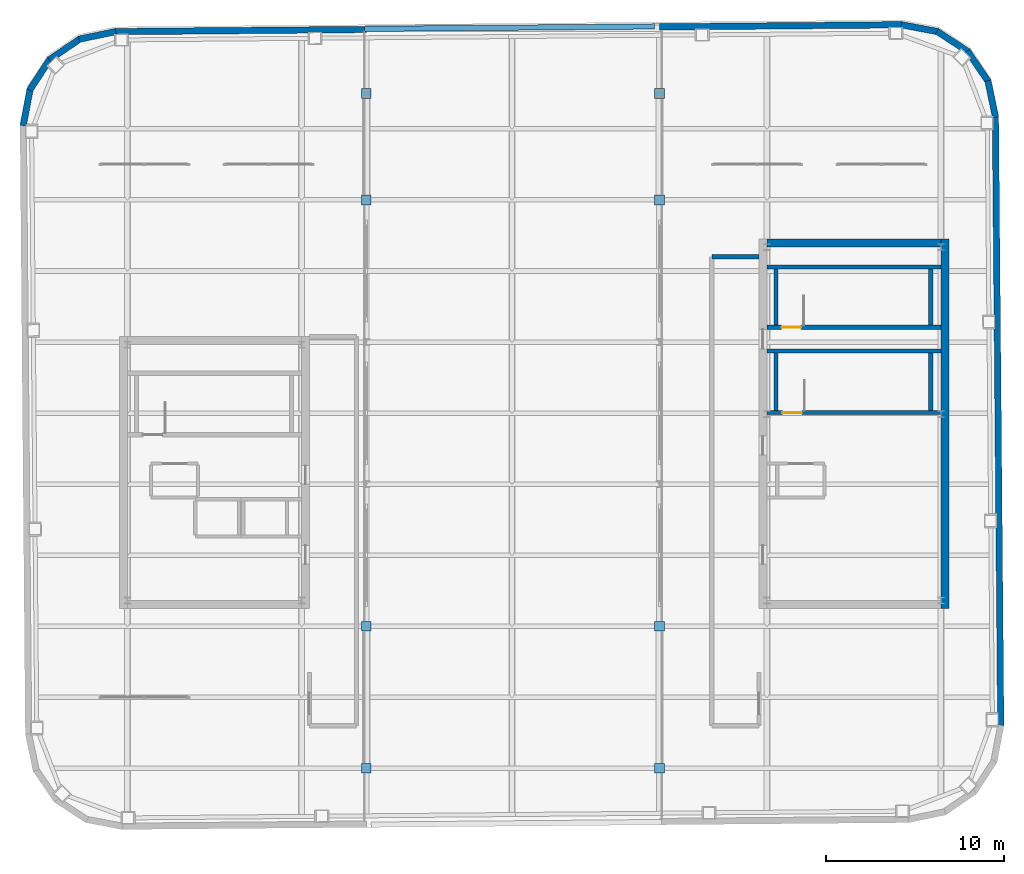
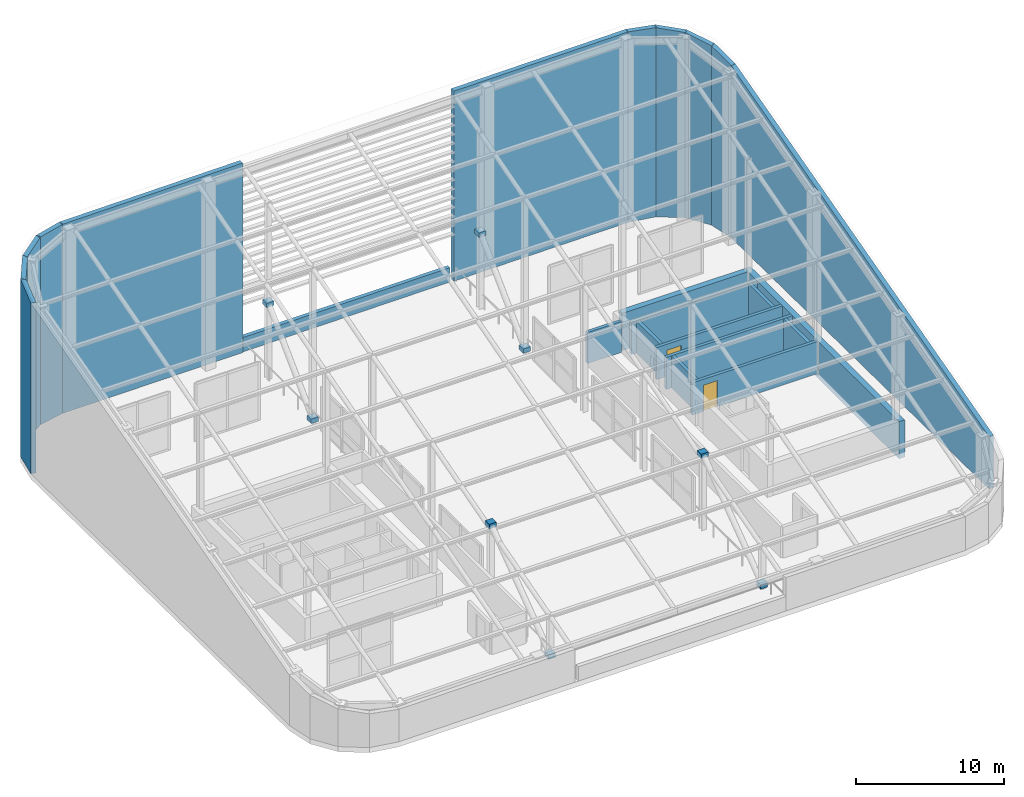
# One storey, part 16 of 17: 23 walls, 8 discrete accessories, 2 doors, 2 openings.
"""IFC4 building model written with IfcOpenShell, lengths in metres."""

from ifc_helpers import new_model, si_unit, direction, frame, frame_2d, origin, origin_2d, place, context, subcontext, project, spatial, polyline, rectangle, outline, extrude, material, layer, layer_set, type_object, element, fill, save


model = new_model("IFC4")

# Units and contexts
model_context = context("Model", 3, precision=1e-05, world=origin(), true_north=direction((0.0, 1.0)))
body_context = subcontext(model_context, "Body", "Model", "MODEL_VIEW")
ifc_project = project(units=[si_unit("LENGTHUNIT", "METRE"), si_unit("AREAUNIT", "SQUARE_METRE"), si_unit("VOLUMEUNIT", "CUBIC_METRE"), si_unit("PLANEANGLEUNIT", "RADIAN"), si_unit("MASSUNIT", "GRAM", prefix="KILO")], contexts=[model_context])

# Site, building, storey
site_placement = place(None, origin())
site = spatial("IfcSite", under=ifc_project, at=site_placement, CompositionType="ELEMENT")
building_placement = place(site_placement, origin())
building = spatial("IfcBuilding", under=site, at=building_placement, Name="Kolvaren Arena Tower", CompositionType="ELEMENT")
storey_placement = place(building_placement, frame((0.0, 0.0, 322.0)))
storey = spatial("IfcBuildingStorey", under=building, at=storey_placement, Name="Roof Crown", CompositionType="ELEMENT", Elevation=322.0)

# Walls
ifc_material_1 = material(Name="Concrete 55 MPa", Category="concrete")
ifc_layer_1 = layer(ifc_material_1, 0.449951171875)
ifc_layer_set_1 = layer_set([ifc_layer_1], Name="Concrete 55 MPa")
wall_type_1 = type_object("IfcWallType", Name="CWALL-450", PredefinedType="SHEAR", material=ifc_layer_set_1)
wall_1_placement = place(storey_placement, frame((60.574951171875, 19.0, -0.419921875), z_axis=(0.0, 0.0, 1.0), x_axis=(0.0, 1.0, 0.0)))
element("IfcWall", 1, at=wall_1_placement, inside=storey, type_object=wall_type_1, Name="Core Shear Wall EC-EAST (Roof Crown)", PredefinedType="SHEAR", context=body_context, shape_type="SweptSolid", body=[
    extrude(rectangle(XDim=20.800048828125, YDim=0.449951171875, at=frame_2d((10.39990234375, 0.0))), origin(), (0.0, 0.0, 1.0), 3.059814453125),
])
wall_2_placement = place(storey_placement, frame((50.550048828125, 39.574951171875, -0.419921875), z_axis=(0.0, 0.0, 1.0), x_axis=(1.0, 0.0, 0.0)))
element("IfcWall", 2, at=wall_2_placement, inside=storey, type_object=wall_type_1, Name="Core Shear Wall EC-NORTH (Roof Crown)", PredefinedType="SHEAR", context=body_context, shape_type="SweptSolid", body=[
    extrude(rectangle(XDim=9.800048828125, YDim=0.449951171875, at=frame_2d((4.89990234375, 0.0))), origin(), (0.0, 0.0, 1.0), 3.059814453125),
])
ifc_material_2 = material(Name="Precast concrete C50/60", Category="concrete")
ifc_layer_2 = layer(ifc_material_2, 0.360107421875)
ifc_layer_set_2 = layer_set([ifc_layer_2], Name="Precast concrete C50/60")
wall_type_2 = type_object("IfcWallType", Name="EXT-PIER2", PredefinedType="SOLIDWALL", material=ifc_layer_set_2)
wall_3_placement = place(storey_placement, frame((63.419189453125, 46.688232421875, 0.0), z_axis=(0.0, 0.0, 1.0), x_axis=(0.008726391715, -0.999961924319, 0.0)))
element("IfcWall", 3, at=wall_3_placement, inside=storey, type_object=wall_type_2, Name="Crown Raked Precast Facade Wall (Roof Crown)", PredefinedType="SOLIDWALL", context=body_context, shape_type="SweptSolid", body=[
    extrude(outline(polyline([(0.0, 0.0), (34.300048828125, 0.0), (34.300048828125, 4.295654296875), (0.0, 14.18212890625), (0.0, 0.0)])), frame((0.0, 0.18017578125, 0.0), z_axis=(0.0, -1.0, 0.0), x_axis=(1.0, 0.0, 0.0)), (0.0, 0.0, 1.0), 0.360107421875),
])
wall_4_placement = place(storey_placement, frame((62.993896484375, 48.7158203125, 0.0), z_axis=(0.0, 0.0, 1.0), x_axis=(0.203709000552, -0.979031482177, 0.0)))
element("IfcWall", 4, at=wall_4_placement, inside=storey, type_object=wall_type_2, Name="Crown Raked Precast Facade Wall (Roof Crown)", PredefinedType="SOLIDWALL", context=body_context, shape_type="SweptSolid", body=[
    extrude(outline(polyline([(0.0, 0.0), (2.10693359375, 0.0), (2.10693359375, 14.172119140625), (0.0, 14.7666015625), (0.0, 0.0)])), frame((0.0, 0.18017578125, 0.0), z_axis=(0.0, -1.0, 0.0), x_axis=(1.0, 0.0, 0.0)), (0.0, 0.0, 1.0), 0.360107421875),
])
wall_5_placement = place(storey_placement, frame((61.835693359375, 50.392822265625, 0.0), z_axis=(0.0, 0.0, 1.0), x_axis=(0.562829722645, -0.826572866302, 0.0)))
element("IfcWall", 5, at=wall_5_placement, inside=storey, type_object=wall_type_2, Name="Crown Raked Precast Facade Wall (Roof Crown)", PredefinedType="SOLIDWALL", context=body_context, shape_type="SweptSolid", body=[
    extrude(outline(polyline([(0.0, 0.0), (2.10693359375, 0.0), (2.10693359375, 14.748046875), (0.0, 15.25), (0.0, 0.0)])), frame((0.0, 0.18017578125, 0.0), z_axis=(0.0, -1.0, 0.0), x_axis=(1.0, 0.0, 0.0)), (0.0, 0.0, 1.0), 0.360107421875),
])
wall_6_placement = place(storey_placement, frame((60.123779296875, 51.498779296875, 0.0), z_axis=(0.0, 0.0, 1.0), x_axis=(0.83632188969, -0.548238722478, 0.0)))
element("IfcWall", 6, at=wall_6_placement, inside=storey, type_object=wall_type_2, Name="Crown Raked Precast Facade Wall (Roof Crown)", PredefinedType="SOLIDWALL", context=body_context, shape_type="SweptSolid", body=[
    extrude(outline(polyline([(0.0, 0.0), (2.106689453125, 0.0), (2.10693359375, 15.23583984375), (0.0, 15.56884765625), (0.0, 0.0)])), frame((0.0, 0.18017578125, 0.0), z_axis=(0.0, -1.0, 0.0), x_axis=(1.0, 0.0, 0.0)), (0.0, 0.0, 1.0), 0.360107421875),
])
wall_7_placement = place(storey_placement, frame((58.118896484375, 51.865478515625, 0.0), z_axis=(0.0, 0.0, 1.0), x_axis=(0.982463107022, -0.186457081764, 0.0)))
element("IfcWall", 7, at=wall_7_placement, inside=storey, type_object=wall_type_2, Name="Crown Raked Precast Facade Wall (Roof Crown)", PredefinedType="SOLIDWALL", context=body_context, shape_type="SweptSolid", body=[
    extrude(outline(polyline([(0.0, 0.0), (2.106689453125, 0.0), (2.10693359375, 15.561279296875), (0.0, 15.674560546875), (0.0, 0.0)])), frame((0.0, 0.18017578125, 0.0), z_axis=(0.0, -1.0, 0.0), x_axis=(1.0, 0.0, 0.0)), (0.0, 0.0, 1.0), 0.360107421875),
])
wall_8_placement = place(storey_placement, frame((13.855712890625, 51.475830078125, 0.0), z_axis=(0.0, 0.0, 1.0), x_axis=(0.999962012038, 0.0087163341, 0.0)))
element("IfcWall", 8, at=wall_8_placement, inside=storey, type_object=wall_type_2, Name="Crown Raked Precast Facade Wall (Roof Crown)", PredefinedType="SOLIDWALL", context=body_context, shape_type="SweptSolid", body=[
    extrude(outline(polyline([(0.0, 0.0), (14.144775390625, 0.0), (14.144775390625, 15.59765625), (0.0, 15.56201171875), (0.0, 0.0)])), frame((0.0, 0.18017578125, 0.0), z_axis=(0.0, -1.0, 0.0), x_axis=(1.0, 0.0, 0.0)), (0.0, 0.0, 1.0), 0.360107421875),
])
wall_9_placement = place(storey_placement, frame((44.5, 51.7431640625, 0.0), z_axis=(0.0, 0.0, 1.0), x_axis=(0.9999619336, 0.008725328081, 0.0)))
element("IfcWall", 9, at=wall_9_placement, inside=storey, type_object=wall_type_2, Name="Crown Raked Precast Facade Wall (Roof Crown)", PredefinedType="SOLIDWALL", context=body_context, shape_type="SweptSolid", body=[
    extrude(outline(polyline([(0.0, 0.0), (13.654541015625, 0.0), (13.654541015625, 15.673583984375), (0.0, 15.63916015625), (0.0, 0.0)])), frame((0.0, 0.18017578125, 0.0), z_axis=(0.0, -1.0, 0.0), x_axis=(1.0, 0.0, 0.0)), (0.0, 0.0, 1.0), 0.360107421875),
])
wall_10_placement = place(storey_placement, frame((11.827880859375, 51.050537109375, 0.0), z_axis=(0.0, 0.0, 1.0), x_axis=(0.97905458633, 0.203597929717, 0.0)))
element("IfcWall", 10, at=wall_10_placement, inside=storey, type_object=wall_type_2, Name="Crown Raked Precast Facade Wall (Roof Crown)", PredefinedType="SOLIDWALL", context=body_context, shape_type="SweptSolid", body=[
    extrude(outline(polyline([(0.0, 0.0), (2.10693359375, 0.0), (2.10693359375, 15.563232421875), (0.0, 15.439697265625), (0.0, 0.0)])), frame((0.0, 0.18017578125, 0.0), z_axis=(0.0, -1.0, 0.0), x_axis=(1.0, 0.0, 0.0)), (0.0, 0.0, 1.0), 0.360107421875),
])
wall_11_placement = place(storey_placement, frame((10.15087890625, 49.89208984375, 0.0), z_axis=(0.0, 0.0, 1.0), x_axis=(0.826609569219, 0.56277581689, 0.0)))
element("IfcWall", 11, at=wall_11_placement, inside=storey, type_object=wall_type_2, Name="Crown Raked Precast Facade Wall (Roof Crown)", PredefinedType="SOLIDWALL", context=body_context, shape_type="SweptSolid", body=[
    extrude(outline(polyline([(0.0, 0.0), (2.10693359375, 0.0), (2.10693359375, 15.447509765625), (0.0, 15.105712890625), (0.0, 0.0)])), frame((0.0, 0.18017578125, 0.0), z_axis=(0.0, -1.0, 0.0), x_axis=(1.0, 0.0, 0.0)), (0.0, 0.0, 1.0), 0.360107421875),
])
wall_12_placement = place(storey_placement, frame((9.044921875, 48.18017578125, 0.0), z_axis=(0.0, 0.0, 1.0), x_axis=(0.548266637224, 0.836303589916, 0.0)))
element("IfcWall", 12, at=wall_12_placement, inside=storey, type_object=wall_type_2, Name="Crown Raked Precast Facade Wall (Roof Crown)", PredefinedType="SOLIDWALL", context=body_context, shape_type="SweptSolid", body=[
    extrude(outline(polyline([(0.0, 0.0), (2.107177734375, 0.0), (2.10693359375, 15.1201171875), (0.0, 14.6123046875), (0.0, 0.0)])), frame((0.0, 0.18017578125, 0.0), z_axis=(0.0, -1.0, 0.0), x_axis=(1.0, 0.0, 0.0)), (0.0, 0.0, 1.0), 0.360107421875),
])
wall_13_placement = place(storey_placement, frame((8.67822265625, 46.17529296875, 0.0), z_axis=(0.0, 0.0, 1.0), x_axis=(0.186547695246, 0.982445905584, 0.0)))
element("IfcWall", 13, at=wall_13_placement, inside=storey, type_object=wall_type_2, Name="Crown Raked Precast Facade Wall (Roof Crown)", PredefinedType="SOLIDWALL", context=body_context, shape_type="SweptSolid", body=[
    extrude(outline(polyline([(0.0, 0.0), (2.107177734375, 0.0), (2.10693359375, 14.631103515625), (0.0, 14.0341796875), (0.0, 0.0)])), frame((0.0, 0.18017578125, 0.0), z_axis=(0.0, -1.0, 0.0), x_axis=(1.0, 0.0, 0.0)), (0.0, 0.0, 1.0), 0.360107421875),
])
ifc_material_3 = material(Name="Precast concrete C45/55", Category="concrete")
ifc_layer_3 = layer(ifc_material_3, 0.300048828125)
ifc_layer_set_3 = layer_set([ifc_layer_3], Name="Precast concrete C45/55")
wall_type_3 = type_object("IfcWallType", Name="PARAP-300", PredefinedType="PARAPET", material=ifc_layer_set_3)
wall_14_placement = place(storey_placement, frame((27.884765625, 51.62841796875, 0.0), z_axis=(0.0, 0.0, 1.0), x_axis=(0.999961930151, 0.008725723444, 0.0)))
element("IfcWall", 14, at=wall_14_placement, inside=storey, type_object=wall_type_3, Name="Wind-Portal Threshold Sill Parapet (North)", PredefinedType="PARAPET", context=body_context, shape_type="SweptSolid", body=[
    extrude(rectangle(XDim=16.340087890625, YDim=0.300048828125, at=frame_2d((8.169921875, 0.0))), origin(), (0.0, 0.0, 1.0), 1.179931640625),
])

# Wall, opening, door
ifc_material_4 = material(Name="Concrete 45 MPa", Category="concrete")
ifc_layer_4 = layer(ifc_material_4, 0.25)
ifc_layer_set_4 = layer_set([ifc_layer_4], Name="Concrete 45 MPa")
wall_type_4 = type_object("IfcWallType", Name="SHAFT-250", PredefinedType="SOLIDWALL", material=ifc_layer_set_4)
wall_15_placement = place(storey_placement, frame((60.35009765625, 30.030029296875, 0.0), z_axis=(0.0, 0.0, 1.0), x_axis=(-1.0, 0.0, 0.0)))
wall_15 = element("IfcWall", 15, at=wall_15_placement, inside=storey, type_object=wall_type_4, Name="Core Shaft Wall (Roof Crown)", PredefinedType="SOLIDWALL", context=body_context, shape_type="SweptSolid", body=[
    extrude(rectangle(XDim=9.800048828125, YDim=0.239990234375, at=frame_2d((4.89990234375, 0.0))), origin(), (0.0, 0.0, 1.0), 2.639892578125),
])
opening_1_placement = place(wall_15_placement, frame((7.830078125, 0.0, 0.0)))
opening_1 = element("IfcOpeningElement", 16, at=opening_1_placement, cuts=wall_15, Name="Opening D03", PredefinedType="OPENING", context=body_context, shape_type="SweptSolid", body=[
    extrude(rectangle(XDim=1.10009765625, YDim=2.14990234375, at=frame_2d((0.550048828125, 1.074951171875))), frame((0.0, 0.1298828125, 0.0), z_axis=(0.0, -1.0, 0.0), x_axis=(1.0, 0.0, 0.0)), (0.0, 0.0, 1.0), 0.260009765625),
])
ifc_material_5 = material(Name="Fire-rated steel exit stair door", Category="steel")
door_type = type_object("IfcDoorType", Name="DOOR-ST-110", OperationType="NOTDEFINED", PredefinedType="DOOR", material=ifc_material_5)
door_1_placement = place(opening_1_placement, origin())
door_1 = element("IfcDoor", 17, at=door_1_placement, inside=storey, type_object=door_type, Name="Stair ST-E1 Fire Door (Roof Crown)", OperationType="SINGLE_SWING_LEFT", OverallHeight=2.14990234375, OverallWidth=1.10009765625, PredefinedType="DOOR", context=body_context, shape_type="SweptSolid", body=[
    extrude(rectangle(XDim=1.10009765625, YDim=2.14990234375, at=frame_2d((0.550048828125, 1.074951171875))), frame((0.0, 0.02490234375, 0.0), z_axis=(0.0, -1.0, 0.0), x_axis=(1.0, 0.0, 0.0)), (0.0, 0.0, 1.0), 0.050048828125),
])
fill(opening_1, door_1)

# Walls
wall_16_placement = place(storey_placement, frame((50.550048828125, 33.5, 0.0), z_axis=(0.0, 0.0, 1.0), x_axis=(1.0, 0.0, 0.0)))
element("IfcWall", 18, at=wall_16_placement, inside=storey, type_object=wall_type_4, Name="Core Shaft Wall (Roof Crown)", PredefinedType="SOLIDWALL", context=body_context, shape_type="SweptSolid", body=[
    extrude(rectangle(XDim=9.800048828125, YDim=0.239990234375, at=frame_2d((4.89990234375, 0.0))), origin(), (0.0, 0.0, 1.0), 2.639892578125),
])
for number, where, z_axis, x_axis, name in (
    (19, (51.06005859375, 30.14990234375, 0.0), (0.0, 0.0, 1.0), (0.0, 1.0, 0.0), "Core Shaft Wall (Roof Crown)"),
    (20, (59.780029296875, 30.14990234375, 0.0), (0.0, 0.0, 1.0), (0.0, 1.0, 0.0), "Core Shaft Wall (Roof Crown)"),
):
    element("IfcWall", number, at=place(storey_placement, frame(where, z_axis=z_axis, x_axis=x_axis)), inside=storey, type_object=wall_type_4, Name=name, PredefinedType="SOLIDWALL", context=body_context, shape_type="SweptSolid", body=[
        extrude(rectangle(XDim=3.22998046875, YDim=0.239990234375, at=frame_2d((1.614990234375, 0.0))), origin(), (0.0, 0.0, 1.0), 2.639892578125),
    ])

# Wall, opening, door
wall_17_placement = place(storey_placement, frame((60.35009765625, 34.830078125, 0.0), z_axis=(0.0, 0.0, 1.0), x_axis=(-1.0, 0.0, 0.0)))
wall_17 = element("IfcWall", 21, at=wall_17_placement, inside=storey, type_object=wall_type_4, Name="Core Shaft Wall (Roof Crown)", PredefinedType="SOLIDWALL", context=body_context, shape_type="SweptSolid", body=[
    extrude(rectangle(XDim=9.800048828125, YDim=0.239990234375, at=frame_2d((4.89990234375, 0.0))), origin(), (0.0, 0.0, 1.0), 2.639892578125),
])
opening_2_placement = place(wall_17_placement, frame((7.8701171875, 0.0, 0.0)))
opening_2 = element("IfcOpeningElement", 22, at=opening_2_placement, cuts=wall_17, Name="Opening D03", PredefinedType="OPENING", context=body_context, shape_type="SweptSolid", body=[
    extrude(rectangle(XDim=1.10009765625, YDim=2.14990234375, at=frame_2d((0.550048828125, 1.074951171875))), frame((0.0, 0.1298828125, 0.0), z_axis=(0.0, -1.0, 0.0), x_axis=(1.0, 0.0, 0.0)), (0.0, 0.0, 1.0), 0.260009765625),
])
door_2_placement = place(opening_2_placement, origin())
door_2 = element("IfcDoor", 23, at=door_2_placement, inside=storey, type_object=door_type, Name="Stair ST-E2 Fire Door (Roof Crown)", OperationType="SINGLE_SWING_LEFT", OverallHeight=2.14990234375, OverallWidth=1.10009765625, PredefinedType="DOOR", context=body_context, shape_type="SweptSolid", body=[
    extrude(rectangle(XDim=1.10009765625, YDim=2.14990234375, at=frame_2d((0.550048828125, 1.074951171875))), frame((0.0, 0.02490234375, 0.0), z_axis=(0.0, -1.0, 0.0), x_axis=(1.0, 0.0, 0.0)), (0.0, 0.0, 1.0), 0.050048828125),
])
fill(opening_2, door_2)

# Walls
wall_18_placement = place(storey_placement, frame((50.550048828125, 38.219970703125, 0.0), z_axis=(0.0, 0.0, 1.0), x_axis=(1.0, 0.0, 0.0)))
element("IfcWall", 24, at=wall_18_placement, inside=storey, type_object=wall_type_4, Name="Core Shaft Wall (Roof Crown)", PredefinedType="SOLIDWALL", context=body_context, shape_type="SweptSolid", body=[
    extrude(rectangle(XDim=9.800048828125, YDim=0.239990234375, at=frame_2d((4.89990234375, 0.0))), origin(), (0.0, 0.0, 1.0), 2.639892578125),
])
for number, where, z_axis, x_axis, name in (
    (25, (51.06005859375, 34.949951171875, 0.0), (0.0, 0.0, 1.0), (0.0, 1.0, 0.0), "Core Shaft Wall (Roof Crown)"),
    (26, (59.780029296875, 34.949951171875, 0.0), (0.0, 0.0, 1.0), (0.0, 1.0, 0.0), "Core Shaft Wall (Roof Crown)"),
):
    element("IfcWall", number, at=place(storey_placement, frame(where, z_axis=z_axis, x_axis=x_axis)), inside=storey, type_object=wall_type_4, Name=name, PredefinedType="SOLIDWALL", context=body_context, shape_type="SweptSolid", body=[
        extrude(rectangle(XDim=3.150146484375, YDim=0.239990234375, at=frame_2d((1.5751953125, 0.0))), origin(), (0.0, 0.0, 1.0), 2.639892578125),
    ])
wall_19_placement = place(storey_placement, frame((47.449951171875, 38.800048828125, 0.0), z_axis=(0.0, 0.0, 1.0), x_axis=(1.0, 0.0, 0.0)))
element("IfcWall", 27, at=wall_19_placement, inside=storey, type_object=wall_type_4, Name="Interior Partition Wall (Roof Crown)", PredefinedType="SOLIDWALL", context=body_context, shape_type="SweptSolid", body=[
    extrude(rectangle(XDim=2.650146484375, YDim=0.239990234375, at=frame_2d((1.3251953125, 0.0))), origin(), (0.0, 0.0, 1.0), 2.550048828125),
])

# Discrete accessories
ifc_material_6 = material(Name="Steel CSA G40.21 350W bolted gusset connection", Category="steel")
discrete_accessory_type = type_object("IfcDiscreteAccessoryType", Name="ACC-CONN-1", PredefinedType="BRACKET", material=ifc_material_6)
for number, where, z_axis, x_axis, name in (
    (28, (28.0, 10.0, 0.1201171875), (0.0, 0.0, 1.0), (1.0, 0.0, 0.0), "Wind-Portal Brace Foot Connection (West 1)"),
    (29, (28.0, 18.0, 6.02001953125), (0.0, 0.0, 1.0), (1.0, 0.0, 0.0), "Wind-Portal Brace Head Connection (West 1)"),
    (30, (28.0, 42.0, 0.1201171875), (0.0, 0.0, 1.0), (1.0, 0.0, 0.0), "Wind-Portal Brace Foot Connection (West 2)"),
    (31, (28.0, 48.0, 6.02001953125), (0.0, 0.0, 1.0), (1.0, 0.0, 0.0), "Wind-Portal Brace Head Connection (West 2)"),
    (32, (44.5, 10.0, 0.1201171875), (0.0, 0.0, 1.0), (1.0, 0.0, 0.0), "Wind-Portal Brace Foot Connection (East 1)"),
    (33, (44.5, 18.0, 6.02001953125), (0.0, 0.0, 1.0), (1.0, 0.0, 0.0), "Wind-Portal Brace Head Connection (East 1)"),
    (34, (44.5, 42.0, 0.1201171875), (0.0, 0.0, 1.0), (1.0, 0.0, 0.0), "Wind-Portal Brace Foot Connection (East 2)"),
    (35, (44.5, 48.0, 6.02001953125), (0.0, 0.0, 1.0), (1.0, 0.0, 0.0), "Wind-Portal Brace Head Connection (East 2)"),
):
    element("IfcDiscreteAccessory", number, at=place(storey_placement, frame(where, z_axis=z_axis, x_axis=x_axis)), inside=storey, type_object=discrete_accessory_type, Name=name, PredefinedType="BRACKET", context=body_context, shape_type="SweptSolid", body=[
        extrude(rectangle(XDim=0.550048828125, YDim=0.550048828125, at=origin_2d()), origin(), (0.0, 0.0, 1.0), 0.360107421875),
    ])

save(model, "model.ifc")
